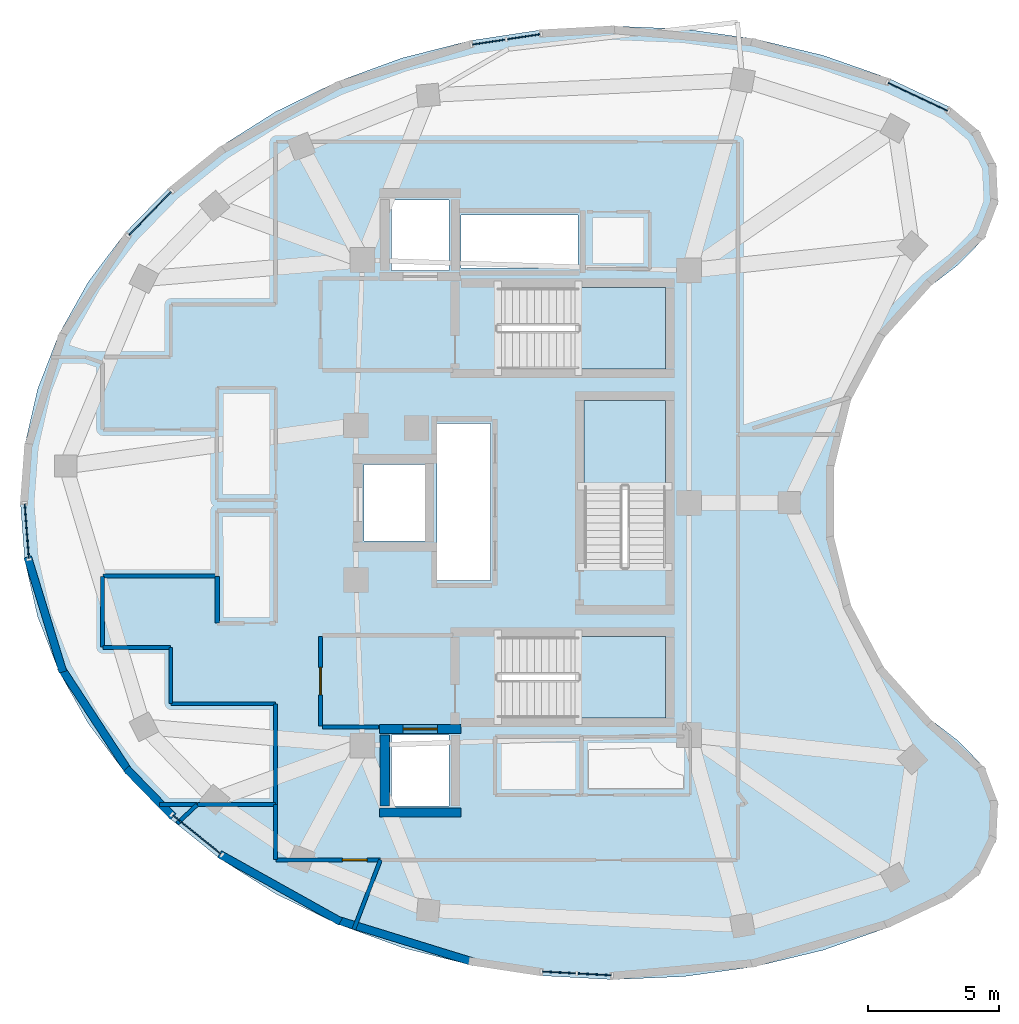
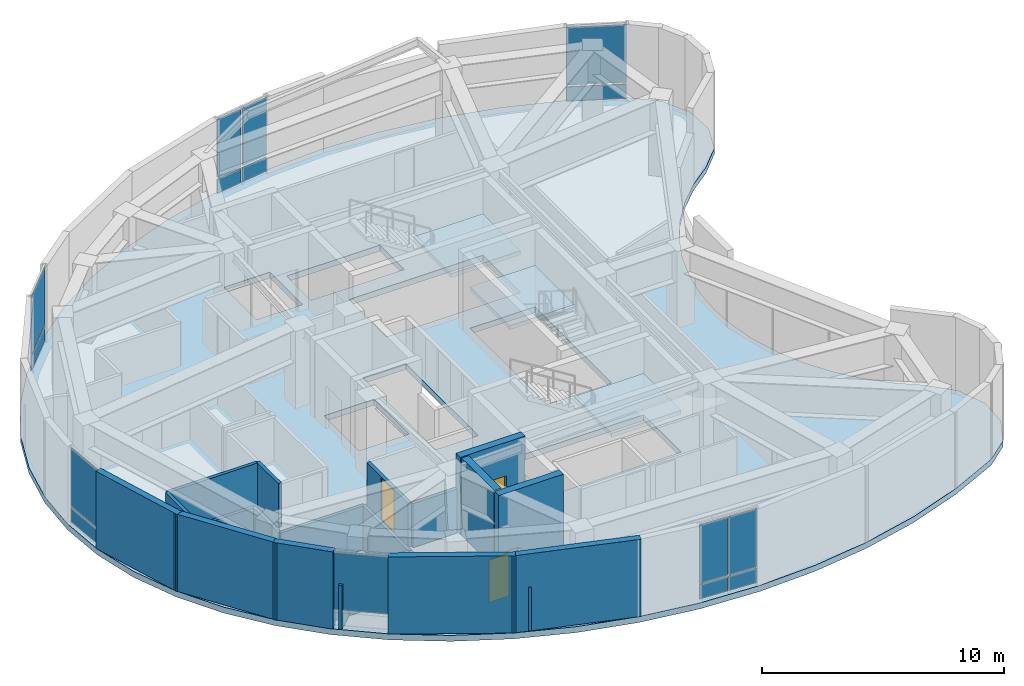
# One storey, part 3 of 8: 23 walls, 15 plates, 4 slabs, 3 doors, 3 openings, 9 elements without a shape of their own.
"""IFC4 building model written with IfcOpenShell, lengths in metres."""

import ifcopenshell
import ifcopenshell.guid

model = None  # the IFC model being written
_history = None  # IfcOwnerHistory: only IFC2X3 demands one
_inside = {}  # id of a spatial element -> (the spatial element, [elements in it])
_under = {}  # id of a project, library or spatial element -> (it, [spatial elements below it])
_declared = {}  # id of a project -> (the project, [libraries it declares])
_typed = {}  # id of a type object -> (the type object, [elements of that type])
_made_of = {}  # id of a material, layer set ... -> (it, [elements and type objects made of it])


def new_model(schema):
    """Start an empty IFC model of exactly this schema.

    Asked for "IFC4X3", IfcOpenShell would pick the latest addendum, in which some entities
    have other attributes; the version numbers below select the first issue.
    IFC2X3 requires an IfcOwnerHistory on every rooted entity: one is made here for all.
    """
    global model, _history
    if schema == "IFC4X3":
        model = ifcopenshell.file(schema_version=(4, 3, 0, 0))
    else:
        model = ifcopenshell.file(schema=schema)
    _inside.clear()
    _under.clear()
    _declared.clear()
    _typed.clear()
    _made_of.clear()
    _history = None
    if model.schema == "IFC2X3":
        org = make("IfcOrganization", Name="unknown")
        user = make(
            "IfcPersonAndOrganization",
            ThePerson=make("IfcPerson", FamilyName="unknown"),
            TheOrganization=org,
        )
        app = make(
            "IfcApplication",
            ApplicationDeveloper=org,
            Version="unknown",
            ApplicationFullName="unknown",
            ApplicationIdentifier="unknown",
        )
        _history = make(
            "IfcOwnerHistory",
            OwningUser=user,
            OwningApplication=app,
            ChangeAction="ADDED",
            CreationDate=0,
        )
    return model


def make(cls, **values):
    """One entity of the class cls with the attributes given. An attribute that is None is left unset."""
    return model.create_entity(
        cls, **{name: value for name, value in values.items() if value is not None}
    )


def rooted(cls, **values):
    """An entity with a GlobalId (a new one), such as an element, a storey or a relation."""
    return make(cls, GlobalId=ifcopenshell.guid.new(), OwnerHistory=_history, **values)


def si_unit(unit_type, name, prefix=None):
    """IfcSIUnit, for example si_unit("LENGTHUNIT", "METRE", prefix="MILLI")."""
    return make("IfcSIUnit", UnitType=unit_type, Prefix=prefix, Name=name)


def assignment(units):
    """IfcUnitAssignment: the units of a project."""
    return None if units is None else make("IfcUnitAssignment", Units=units)


def point(xyz):
    """IfcCartesianPoint."""
    return None if xyz is None else make("IfcCartesianPoint", Coordinates=xyz)


def direction(xyz):
    """IfcDirection."""
    return None if xyz is None else make("IfcDirection", DirectionRatios=xyz)


def frame(location, z_axis=None, x_axis=None):
    """IfcAxis2Placement3D, a coordinate frame: its origin and axes. An axis left out is left unset."""
    return make(
        "IfcAxis2Placement3D",
        Location=point(location),
        Axis=direction(z_axis),
        RefDirection=direction(x_axis),
    )


def frame_2d(location, x_axis=None):
    """IfcAxis2Placement2D, a coordinate frame in the plane: its origin and x axis."""
    return make(
        "IfcAxis2Placement2D", Location=point(location), RefDirection=direction(x_axis)
    )


def origin():
    """The frame at (0, 0, 0) with its axes left unset."""
    return frame((0.0, 0.0, 0.0))


def origin_2d():
    """The frame at (0, 0) in the plane with its x axis left unset."""
    return frame_2d((0.0, 0.0))


def place(relative_to, where):
    """IfcLocalPlacement: puts the frame where relative to a parent placement (None: the world)."""
    return make(
        "IfcLocalPlacement", PlacementRelTo=relative_to, RelativePlacement=where
    )


def context(
    kind, dimensions, precision=None, world=None, true_north=None, identifier=None
):
    """IfcGeometricRepresentationContext, for example the 3D "Model" context."""
    return make(
        "IfcGeometricRepresentationContext",
        ContextIdentifier=identifier,
        ContextType=kind,
        CoordinateSpaceDimension=dimensions,
        Precision=precision,
        WorldCoordinateSystem=world,
        TrueNorth=true_north,
    )


def subcontext(parent, identifier, kind, view, scale=None):
    """IfcGeometricRepresentationSubContext, for example "Body" below "Model"."""
    return make(
        "IfcGeometricRepresentationSubContext",
        ContextIdentifier=identifier,
        ContextType=kind,
        ParentContext=parent,
        TargetScale=scale,
        TargetView=view,
    )


def project(units=None, contexts=None):
    """IfcProject with its units and contexts."""
    return rooted(
        "IfcProject",
        Name="project",
        RepresentationContexts=contexts,
        UnitsInContext=assignment(units),
    )


def spatial(cls, under=None, at=None, **own):
    """A site, building, storey or space (cls), placed at a placement, below another one or the project."""
    s = rooted(cls, ObjectPlacement=at, **own)
    if under is not None:
        _under.setdefault(under.id(), (under, []))[1].append(s)
    return s


def polyline(points):
    """IfcPolyline through the points."""
    return make("IfcPolyline", Points=[point(p) for p in points])


def profile(cls, at=None, kind="AREA", **sizes):
    """A parametric profile (cls). Its sizes go by their IFC names, for example OverallWidth=200.0."""
    return make(cls, ProfileType=kind, Position=at, **sizes)


def rectangle(**sizes):
    """IfcRectangleProfileDef."""
    return profile("IfcRectangleProfileDef", **sizes)


def outline(outer, holes=None, kind="AREA"):
    """IfcArbitraryClosedProfileDef: a profile drawn as a closed curve; with holes, ...WithVoids."""
    if holes is None:
        return make("IfcArbitraryClosedProfileDef", ProfileType=kind, OuterCurve=outer)
    return make(
        "IfcArbitraryProfileDefWithVoids",
        ProfileType=kind,
        OuterCurve=outer,
        InnerCurves=holes,
    )


def extrude(swept, where, along, depth):
    """IfcExtrudedAreaSolid: the profile swept, set in the frame where, extruded along a direction by depth."""
    return make(
        "IfcExtrudedAreaSolid",
        SweptArea=swept,
        Position=where,
        ExtrudedDirection=direction(along),
        Depth=depth,
    )


def shape(context_of_items, identifier, shape_type, items):
    """IfcShapeRepresentation: the items that make up one representation, for example the "Body"."""
    return make(
        "IfcShapeRepresentation",
        ContextOfItems=context_of_items,
        RepresentationIdentifier=identifier,
        RepresentationType=shape_type,
        Items=items,
    )


def material(Name=None, Category=None):
    """IfcMaterial."""
    return make("IfcMaterial", Name=Name, Category=Category)


def layer(
    of_material, thickness, ventilated=None, Name=None, Category=None, Priority=None
):
    """IfcMaterialLayer: one layer of a wall or slab, of a material (None: an air gap)."""
    return make(
        "IfcMaterialLayer",
        Material=of_material,
        LayerThickness=thickness,
        IsVentilated=ventilated,
        Name=Name,
        Category=Category,
        Priority=Priority,
    )


def layer_set(layers, Name=None):
    """IfcMaterialLayerSet."""
    return make("IfcMaterialLayerSet", MaterialLayers=layers, LayerSetName=Name)


def made_of(thing, what):
    """Note that an element or type object is made of a material, layer set ...; save() writes the relation."""
    if what is not None:
        _made_of.setdefault(what.id(), (what, []))[1].append(thing)
    return thing


def type_object(cls, material=None, **own):
    """A type object (cls), such as IfcWallType, which elements share."""
    return made_of(rooted(cls, **own), material)


def element(
    cls,
    number,
    at=None,
    inside=None,
    cuts=None,
    type_object=None,
    material=None,
    context=None,
    identifier="Body",
    shape_type=None,
    held_by="IfcProductDefinitionShape",
    body=None,
    shapes=None,
    **own,
):
    """One element of the class cls, such as IfcWall. Its Tag is "e" and its number.

    at: its placement. inside: the storey or other place that contains it. cuts: it is an
    opening in that element (IfcRelVoidsElement). A single representation is given by context,
    identifier, shape_type and body (its items); several are given by shapes. held_by: the class
    of the entity that holds the representations. save() writes the other relations.
    """
    e = rooted(cls, Tag="e%d" % number, ObjectPlacement=at, **own)
    if body is not None:
        shapes = [shape(context, identifier, shape_type, body)]
    if shapes is not None:
        e.Representation = make(held_by, Representations=shapes)
    if inside is not None:
        _inside.setdefault(inside.id(), (inside, []))[1].append(e)
    if cuts is not None:
        rooted(
            "IfcRelVoidsElement", RelatingBuildingElement=cuts, RelatedOpeningElement=e
        )
    if type_object is not None:
        _typed.setdefault(type_object.id(), (type_object, []))[1].append(e)
    return made_of(e, material)


def fill(opening, filler):
    """IfcRelFillsElement: the door or window that sits in an opening."""
    return rooted(
        "IfcRelFillsElement",
        RelatingOpeningElement=opening,
        RelatedBuildingElement=filler,
    )


def aggregate(whole, parts):
    """IfcRelAggregates: a whole, such as a stair, and the parts it consists of."""
    return rooted("IfcRelAggregates", RelatingObject=whole, RelatedObjects=parts)


def save(model, path):
    """Write the relations noted so far, then the file.

    IfcRelAggregates (storeys below a building ...), IfcRelContainedInSpatialStructure (elements
    in a storey), IfcRelDefinesByType, IfcRelAssociatesMaterial and IfcRelDeclares: one each for
    every whole, place, type object, material and project.
    """
    for whole, parts in _under.values():
        aggregate(whole, parts)
    for where, things in _inside.values():
        rooted(
            "IfcRelContainedInSpatialStructure",
            RelatedElements=things,
            RelatingStructure=where,
        )
    for kind, things in _typed.values():
        rooted("IfcRelDefinesByType", RelatedObjects=things, RelatingType=kind)
    for what, things in _made_of.values():
        rooted("IfcRelAssociatesMaterial", RelatedObjects=things, RelatingMaterial=what)
    for by, libraries in _declared.values():
        rooted("IfcRelDeclares", RelatingContext=by, RelatedDefinitions=libraries)
    model.write(path)


model = new_model("IFC4")

# Units and contexts
model_context = context("Model", 3, precision=1e-05, world=origin(), true_north=direction((0.0, 1.0)))
body_context = subcontext(model_context, "Body", "Model", "MODEL_VIEW")
ifc_project = project(units=[si_unit("LENGTHUNIT", "METRE"), si_unit("AREAUNIT", "SQUARE_METRE"), si_unit("VOLUMEUNIT", "CUBIC_METRE"), si_unit("PLANEANGLEUNIT", "RADIAN"), si_unit("MASSUNIT", "GRAM", prefix="KILO")], contexts=[model_context])

# Site, building, storey
site_placement = place(None, origin())
site = spatial("IfcSite", under=ifc_project, at=site_placement, CompositionType="ELEMENT")
building_placement = place(site_placement, origin())
building = spatial("IfcBuilding", under=site, at=building_placement, Name="Korentha Bioscience Tower", CompositionType="ELEMENT")
storey_placement = place(building_placement, frame((0.0, 0.0, 301.800048828125)))
storey = spatial("IfcBuildingStorey", under=building, at=storey_placement, Name="L69", CompositionType="ELEMENT", Elevation=301.800048828125)

# Curtain wall, plates
ifc_material_1 = material(Name="Thermally Broken Aluminium Frame", Category="aluminium")
ifc_layer_1 = layer(ifc_material_1, 0.219970703125, Name="Thermally Broken Aluminium Frame")
ifc_layer_set_1 = layer_set([ifc_layer_1], Name="Thermally Broken Aluminium Frame (CW-T1)")
curtain_wall_type = type_object("IfcCurtainWallType", Name="Standard Bioscience Lab Unitised Curtain Wall CW-T1", PredefinedType="USERDEFINED", material=ifc_layer_set_1)
curtain_wall_1_placement = place(storey_placement, origin())
curtain_wall_1 = element("IfcCurtainWall", 1, at=curtain_wall_1_placement, inside=storey, type_object=curtain_wall_type, Name="L69 Curtain Wall 01", ObjectType="UNITISED", PredefinedType="USERDEFINED")
ifc_material_2 = material(Name="Triple-Glazed Low-E Insulated Glass", Category="glass")
ifc_layer_2 = layer(ifc_material_2, 0.0439453125, Name="Triple-Glazed Low-E Insulated Glass")
ifc_layer_set_2 = layer_set([ifc_layer_2], Name="Triple-Glazed Low-E Insulated Glass (GL-44)")
plate_type = type_object("IfcPlateType", Name="Glazed Panel 44mm", PredefinedType="CURTAIN_PANEL", material=ifc_layer_set_2)
plate_1_placement = place(storey_placement, frame((46.267578125, 42.4755859375, 0.08984375), z_axis=(0.0, 0.0, 1.0), x_axis=(-0.904397382054, 0.426691194347, 0.0)))
plate_1 = element("IfcPlate", 2, at=plate_1_placement, type_object=plate_type, Name="CW-L69-01 Bay 1 Glazed Panel 1", PredefinedType="CURTAIN_PANEL", context=body_context, shape_type="SweptSolid", body=[
    extrude(rectangle(XDim=2.501708984375, YDim=0.0439453125, at=origin_2d()), origin(), (0.0, 0.0, 1.0), 0.715087890625),
])
plate_2_placement = place(storey_placement, frame((46.267578125, 42.4755859375, 0.89501953125), z_axis=(0.0, 0.0, 1.0), x_axis=(-0.904397382054, 0.426691194347, 0.0)))
plate_2 = element("IfcPlate", 3, at=plate_2_placement, type_object=plate_type, Name="CW-L69-01 Bay 1 Glazed Panel 2", PredefinedType="CURTAIN_PANEL", context=body_context, shape_type="SweptSolid", body=[
    extrude(rectangle(XDim=2.501708984375, YDim=0.0439453125, at=origin_2d()), origin(), (0.0, 0.0, 1.0), 2.9150390625),
])
aggregate(curtain_wall_1, [plate_1, plate_2])

curtain_wall_2_placement = place(storey_placement, origin())
curtain_wall_2 = element("IfcCurtainWall", 4, at=curtain_wall_2_placement, inside=storey, type_object=curtain_wall_type, Name="L69 Curtain Wall 07", ObjectType="UNITISED", PredefinedType="USERDEFINED")
plate_3_placement = place(storey_placement, frame((31.246337890625, 44.7626953125, 0.08984375), z_axis=(0.0, 0.0, 1.0), x_axis=(-0.988621035391, -0.150427551942, 0.0)))
plate_3 = element("IfcPlate", 5, at=plate_3_placement, type_object=plate_type, Name="CW-L69-07 Bay 1 Glazed Panel 1", PredefinedType="CURTAIN_PANEL", context=body_context, shape_type="SweptSolid", body=[
    extrude(rectangle(XDim=1.262451171875, YDim=0.0439453125, at=origin_2d()), origin(), (0.0, 0.0, 1.0), 0.715087890625),
])
plate_4_placement = place(storey_placement, frame((31.246337890625, 44.7626953125, 0.89501953125), z_axis=(0.0, 0.0, 1.0), x_axis=(-0.988621035391, -0.150427551942, 0.0)))
plate_4 = element("IfcPlate", 6, at=plate_4_placement, type_object=plate_type, Name="CW-L69-07 Bay 1 Glazed Panel 2", PredefinedType="CURTAIN_PANEL", context=body_context, shape_type="SweptSolid", body=[
    extrude(rectangle(XDim=1.262451171875, YDim=0.0439453125, at=origin_2d()), origin(), (0.0, 0.0, 1.0), 2.9150390625),
])
plate_5_placement = place(storey_placement, frame((29.909423828125, 44.559326171875, 0.08984375), z_axis=(0.0, 0.0, 1.0), x_axis=(-0.988621035391, -0.150427551942, 0.0)))
plate_5 = element("IfcPlate", 7, at=plate_5_placement, type_object=plate_type, Name="CW-L69-07 Bay 2 Glazed Panel 1", PredefinedType="CURTAIN_PANEL", context=body_context, shape_type="SweptSolid", body=[
    extrude(rectangle(XDim=1.262451171875, YDim=0.0439453125, at=origin_2d()), origin(), (0.0, 0.0, 1.0), 0.715087890625),
])
plate_6_placement = place(storey_placement, frame((29.909423828125, 44.559326171875, 0.89501953125), z_axis=(0.0, 0.0, 1.0), x_axis=(-0.988621035391, -0.150427551942, 0.0)))
plate_6 = element("IfcPlate", 8, at=plate_6_placement, type_object=plate_type, Name="CW-L69-07 Bay 2 Glazed Panel 2", PredefinedType="CURTAIN_PANEL", context=body_context, shape_type="SweptSolid", body=[
    extrude(rectangle(XDim=1.262451171875, YDim=0.0439453125, at=origin_2d()), origin(), (0.0, 0.0, 1.0), 2.9150390625),
])
aggregate(curtain_wall_2, [plate_3, plate_4, plate_5, plate_6])

curtain_wall_3_placement = place(storey_placement, origin())
curtain_wall_3 = element("IfcCurtainWall", 9, at=curtain_wall_3_placement, inside=storey, type_object=curtain_wall_type, Name="L69 Curtain Wall 13", ObjectType="UNITISED", PredefinedType="USERDEFINED")
plate_7_placement = place(storey_placement, frame((17.0009765625, 38.0283203125, 0.08984375), z_axis=(0.0, 0.0, 1.0), x_axis=(-0.697567217128, -0.716519349067, 0.0)))
plate_7 = element("IfcPlate", 10, at=plate_7_placement, type_object=plate_type, Name="CW-L69-13 Bay 1 Glazed Panel 1", PredefinedType="CURTAIN_PANEL", context=body_context, shape_type="SweptSolid", body=[
    extrude(rectangle(XDim=2.30517578125, YDim=0.0439453125, at=origin_2d()), origin(), (0.0, 0.0, 1.0), 0.715087890625),
])
plate_8_placement = place(storey_placement, frame((17.0009765625, 38.0283203125, 0.89501953125), z_axis=(0.0, 0.0, 1.0), x_axis=(-0.697567217128, -0.716519349067, 0.0)))
plate_8 = element("IfcPlate", 11, at=plate_8_placement, type_object=plate_type, Name="CW-L69-13 Bay 1 Glazed Panel 2", PredefinedType="CURTAIN_PANEL", context=body_context, shape_type="SweptSolid", body=[
    extrude(rectangle(XDim=2.30517578125, YDim=0.0439453125, at=origin_2d()), origin(), (0.0, 0.0, 1.0), 2.9150390625),
])
aggregate(curtain_wall_3, [plate_7, plate_8])

curtain_wall_4_placement = place(storey_placement, origin())
curtain_wall_4 = element("IfcCurtainWall", 12, at=curtain_wall_4_placement, inside=storey, type_object=curtain_wall_type, Name="L69 Curtain Wall 19", ObjectType="UNITISED", PredefinedType="USERDEFINED")
plate_9_placement = place(storey_placement, frame((12.302490234375, 25.922119140625, 0.08984375), z_axis=(0.0, 0.0, 1.0), x_axis=(0.075073021346, -0.997178039001, 0.0)))
plate_9 = element("IfcPlate", 13, at=plate_9_placement, type_object=plate_type, Name="CW-L69-19 Bay 1 Glazed Panel 1", PredefinedType="CURTAIN_PANEL", context=body_context, shape_type="SweptSolid", body=[
    extrude(rectangle(XDim=2.085693359375, YDim=0.0439453125, at=origin_2d()), origin(), (0.0, 0.0, 1.0), 0.715087890625),
])
plate_10_placement = place(storey_placement, frame((12.302490234375, 25.922119140625, 0.89501953125), z_axis=(0.0, 0.0, 1.0), x_axis=(0.075073021346, -0.997178039001, 0.0)))
plate_10 = element("IfcPlate", 14, at=plate_10_placement, type_object=plate_type, Name="CW-L69-19 Bay 1 Glazed Panel 2", PredefinedType="CURTAIN_PANEL", context=body_context, shape_type="SweptSolid", body=[
    extrude(rectangle(XDim=2.085693359375, YDim=0.0439453125, at=origin_2d()), origin(), (0.0, 0.0, 1.0), 2.9150390625),
])
aggregate(curtain_wall_4, [plate_9, plate_10])

# Curtain wall, plate
curtain_wall_5_placement = place(storey_placement, origin())
curtain_wall_5 = element("IfcCurtainWall", 15, at=curtain_wall_5_placement, inside=storey, type_object=curtain_wall_type, Name="L69 Curtain Wall 25", ObjectType="UNITISED", PredefinedType="USERDEFINED")
plate_11_placement = place(storey_placement, frame((18.787841796875, 14.34814453125, 0.89501953125), z_axis=(0.0, 0.0, 1.0), x_axis=(0.778807101094, -0.62726350068, 0.0)))
plate_11 = element("IfcPlate", 16, at=plate_11_placement, type_object=plate_type, Name="CW-L69-25 Bay 1 Glazed Panel 2", PredefinedType="CURTAIN_PANEL", context=body_context, shape_type="SweptSolid", body=[
    extrude(rectangle(XDim=2.37109375, YDim=0.0439453125, at=origin_2d()), origin(), (0.0, 0.0, 1.0), 2.9150390625),
])
aggregate(curtain_wall_5, [plate_11])

# Curtain wall, plates
curtain_wall_6_placement = place(storey_placement, origin())
curtain_wall_6 = element("IfcCurtainWall", 17, at=curtain_wall_6_placement, inside=storey, type_object=curtain_wall_type, Name="L69 Curtain Wall 31", ObjectType="UNITISED", PredefinedType="USERDEFINED")
plate_12_placement = place(storey_placement, frame((32.58837890625, 9.099365234375, 0.08984375), z_axis=(0.0, 0.0, 1.0), x_axis=(0.998526001182, -0.054275454513, 0.0)))
plate_12 = element("IfcPlate", 18, at=plate_12_placement, type_object=plate_type, Name="CW-L69-31 Bay 1 Glazed Panel 1", PredefinedType="CURTAIN_PANEL", context=body_context, shape_type="SweptSolid", body=[
    extrude(rectangle(XDim=1.27001953125, YDim=0.0439453125, at=origin_2d()), origin(), (0.0, 0.0, 1.0), 0.715087890625),
])
plate_13_placement = place(storey_placement, frame((32.58837890625, 9.099365234375, 0.89501953125), z_axis=(0.0, 0.0, 1.0), x_axis=(0.998526001182, -0.054275454513, 0.0)))
plate_13 = element("IfcPlate", 19, at=plate_13_placement, type_object=plate_type, Name="CW-L69-31 Bay 1 Glazed Panel 2", PredefinedType="CURTAIN_PANEL", context=body_context, shape_type="SweptSolid", body=[
    extrude(rectangle(XDim=1.27001953125, YDim=0.0439453125, at=origin_2d()), origin(), (0.0, 0.0, 1.0), 2.9150390625),
])
plate_14_placement = place(storey_placement, frame((33.9462890625, 9.025390625, 0.08984375), z_axis=(0.0, 0.0, 1.0), x_axis=(0.998526001182, -0.054275454513, 0.0)))
plate_14 = element("IfcPlate", 20, at=plate_14_placement, type_object=plate_type, Name="CW-L69-31 Bay 2 Glazed Panel 1", PredefinedType="CURTAIN_PANEL", context=body_context, shape_type="SweptSolid", body=[
    extrude(rectangle(XDim=1.27001953125, YDim=0.0439453125, at=origin_2d()), origin(), (0.0, 0.0, 1.0), 0.715087890625),
])
plate_15_placement = place(storey_placement, frame((33.9462890625, 9.025390625, 0.89501953125), z_axis=(0.0, 0.0, 1.0), x_axis=(0.998526001182, -0.054275454513, 0.0)))
plate_15 = element("IfcPlate", 21, at=plate_15_placement, type_object=plate_type, Name="CW-L69-31 Bay 2 Glazed Panel 2", PredefinedType="CURTAIN_PANEL", context=body_context, shape_type="SweptSolid", body=[
    extrude(rectangle(XDim=1.27001953125, YDim=0.0439453125, at=origin_2d()), origin(), (0.0, 0.0, 1.0), 2.9150390625),
])
aggregate(curtain_wall_6, [plate_12, plate_13, plate_14, plate_15])

# Slab
ifc_material_3 = material(Name="Concrete C50", Category="concrete")
ifc_layer_3 = layer(ifc_material_3, 0.300048828125, Name="Concrete C50")
ifc_layer_set_3 = layer_set([ifc_layer_3], Name="Concrete C50 (SL-L300)")
slab_type_1 = type_object("IfcSlabType", Name="Laboratory Vibration-Controlled Slab 300", PredefinedType="FLOOR", material=ifc_layer_set_3)
slab_1_placement = place(storey_placement, frame((0.0, 0.0, -0.300048828125)))
element("IfcSlab", 22, at=slab_1_placement, inside=storey, type_object=slab_type_1, Name="L69 Tower Structural Floor Slab", PredefinedType="FLOOR", context=body_context, shape_type="SweptSolid", body=[
    extrude(outline(polyline([(47.512451171875, 42.065185546875), (45.15966796875, 43.17529296875), (42.6572265625, 44.052001953125), (40.04150390625, 44.68212890625), (37.35009765625, 45.05712890625), (34.62158203125, 45.17138671875), (31.895751953125, 45.0234375), (29.2119140625, 44.614990234375), (26.608642578125, 43.952392578125), (24.12353515625, 43.044921875), (21.792724609375, 41.90576171875), (19.649658203125, 40.551513671875), (17.72509765625, 39.00146484375), (16.04736328125, 37.2783203125), (14.64013671875, 35.406494140625), (13.524169921875, 33.41357421875), (12.715087890625, 31.327880859375), (12.22509765625, 29.1796875), (12.06103515625, 27.0), (12.22509765625, 24.8203125), (12.715087890625, 22.672119140625), (13.524169921875, 20.58642578125), (14.64013671875, 18.593505859375), (16.04736328125, 16.7216796875), (17.72509765625, 14.99853515625), (19.649658203125, 13.448486328125), (21.792724609375, 12.09423828125), (24.12353515625, 10.955078125), (26.608642578125, 10.047607421875), (29.2119140625, 9.385009765625), (31.895751953125, 8.9765625), (34.62158203125, 8.82861328125), (37.35009765625, 8.94287109375), (40.04150390625, 9.31787109375), (42.6572265625, 9.947998046875), (45.15966796875, 10.82470703125), (47.512451171875, 11.934814453125), (48.60546875, 12.85498046875), (49.240234375, 14.135498046875), (49.310791015625, 15.5625), (48.805908203125, 16.8994140625), (47.80908203125, 17.923095703125), (46.74853515625, 18.737060546875), (45.794921875, 19.673828125), (44.962890625, 20.72021484375), (44.264404296875, 21.85986328125), (43.7099609375, 23.076416015625), (43.30810546875, 24.351318359375), (43.064453125, 25.665771484375), (42.98291015625, 27.0), (43.064453125, 28.334228515625), (43.30810546875, 29.648681640625), (43.7099609375, 30.923583984375), (44.264404296875, 32.14013671875), (44.962890625, 33.27978515625), (45.794921875, 34.326171875), (46.74853515625, 35.262939453125), (47.80908203125, 36.076904296875), (48.805908203125, 37.1005859375), (49.310791015625, 38.4375), (49.240234375, 39.864501953125), (48.60546875, 41.14501953125), (47.512451171875, 42.065185546875)]), holes=[polyline([(30.25, 32.10009765625), (36.64990234375, 32.10009765625), (36.64990234375, 35.199951171875), (30.25, 35.199951171875), (30.25, 32.10009765625)]), polyline([(30.25, 18.800048828125), (36.64990234375, 18.800048828125), (36.64990234375, 21.89990234375), (30.25, 21.89990234375), (30.25, 18.800048828125)]), polyline([(36.64990234375, 24.550048828125), (36.64990234375, 30.89990234375), (33.550048828125, 30.89990234375), (33.550048828125, 24.550048828125), (36.64990234375, 24.550048828125)]), polyline([(27.929931640625, 24.030029296875), (29.969970703125, 24.030029296875), (29.969970703125, 30.02001953125), (27.929931640625, 30.02001953125), (27.929931640625, 24.030029296875)]), polyline([(28.860107421875, 35.93994140625), (33.31005859375, 35.93994140625), (33.31005859375, 37.9599609375), (28.860107421875, 37.9599609375), (28.860107421875, 35.93994140625)]), polyline([(26.199951171875, 15.449951171875), (28.39990234375, 15.449951171875), (28.39990234375, 18.14990234375), (26.199951171875, 18.14990234375), (26.199951171875, 15.449951171875)]), polyline([(26.199951171875, 35.85009765625), (28.39990234375, 35.85009765625), (28.39990234375, 38.550048828125), (26.199951171875, 38.550048828125), (26.199951171875, 35.85009765625)]), polyline([(25.14990234375, 25.550048828125), (27.550048828125, 25.550048828125), (27.550048828125, 28.449951171875), (25.14990234375, 28.449951171875), (25.14990234375, 25.550048828125)])]), origin(), (0.0, 0.0, 1.0), 0.300048828125),
])

# Stair, slab
ifc_material_4 = material(Name="Precast Concrete C50", Category="concrete")
stair_type = type_object("IfcStairType", Name="Core Exit Dog-Leg Stair 1450", PredefinedType="HALF_TURN_STAIR", material=ifc_material_4)
stair_1_placement = place(storey_placement, origin())
stair_1 = element("IfcStair", 23, at=stair_1_placement, inside=storey, type_object=stair_type, Name="L69 Tower North Pressurized Exit Stair ST-1", PredefinedType="HALF_TURN_STAIR")
ifc_layer_4 = layer(ifc_material_3, 0.199951171875, Name="Concrete C50")
ifc_layer_set_4 = layer_set([ifc_layer_4], Name="Concrete C50 (SL-LND)")
slab_type_2 = type_object("IfcSlabType", Name="Landing Slab 200", PredefinedType="LANDING", material=ifc_layer_set_4)
slab_2_placement = place(storey_placement, frame((0.0, 0.0, 1.89990234375)))
slab_2 = element("IfcSlab", 24, at=slab_2_placement, type_object=slab_type_2, Name="ST-1 landing 1", PredefinedType="LANDING", context=body_context, shape_type="SweptSolid", body=[
    extrude(outline(polyline([(33.330078125, 32.10009765625), (36.64990234375, 32.10009765625), (36.64990234375, 35.199951171875), (33.330078125, 35.199951171875), (33.330078125, 32.10009765625)])), origin(), (0.0, 0.0, 1.0), 0.199951171875),
])
aggregate(stair_1, [slab_2])

stair_2_placement = place(storey_placement, origin())
stair_2 = element("IfcStair", 25, at=stair_2_placement, inside=storey, type_object=stair_type, Name="L69 Tower South Pressurized Exit Stair ST-2", PredefinedType="HALF_TURN_STAIR")
slab_3_placement = place(storey_placement, frame((0.0, 0.0, 1.89990234375)))
slab_3 = element("IfcSlab", 26, at=slab_3_placement, type_object=slab_type_2, Name="ST-2 landing 1", PredefinedType="LANDING", context=body_context, shape_type="SweptSolid", body=[
    extrude(outline(polyline([(33.330078125, 18.800048828125), (36.64990234375, 18.800048828125), (36.64990234375, 21.89990234375), (33.330078125, 21.89990234375), (33.330078125, 18.800048828125)])), origin(), (0.0, 0.0, 1.0), 0.199951171875),
])
aggregate(stair_2, [slab_3])

stair_3_placement = place(storey_placement, origin())
stair_3 = element("IfcStair", 27, at=stair_3_placement, inside=storey, type_object=stair_type, Name="L69 Tower Central Pressurized Exit Stair ST-3", PredefinedType="HALF_TURN_STAIR")
slab_4_placement = place(storey_placement, frame((0.0, 0.0, 1.89990234375)))
slab_4 = element("IfcSlab", 28, at=slab_4_placement, type_object=slab_type_2, Name="ST-3 landing 1", PredefinedType="LANDING", context=body_context, shape_type="SweptSolid", body=[
    extrude(outline(polyline([(36.64990234375, 27.6298828125), (36.64990234375, 30.89990234375), (33.550048828125, 30.89990234375), (33.550048828125, 27.6298828125), (36.64990234375, 27.6298828125)])), origin(), (0.0, 0.0, 1.0), 0.199951171875),
])
aggregate(stair_3, [slab_4])

# Wall, opening, door
ifc_material_5 = material(Name="Double-Stud Acoustic Gypsum", Category="gypsum")
ifc_layer_5 = layer(ifc_material_5, 0.14990234375, Name="Double-Stud Acoustic Gypsum")
ifc_layer_set_5 = layer_set([ifc_layer_5], Name="Double-Stud Acoustic Gypsum (IW-L150)")
wall_type_1 = type_object("IfcWallType", Name="Acoustic Laboratory Partition Wall 150", PredefinedType="PARTITIONING", material=ifc_layer_set_5)
wall_1_placement = place(storey_placement, frame((21.800048828125, 13.389892578125, 0.0), z_axis=(0.0, 0.0, 1.0), x_axis=(1.0, 0.0, 0.0)))
wall_1 = element("IfcWall", 29, at=wall_1_placement, inside=storey, type_object=wall_type_1, Name="L69 Principal Investigator Office 02 Entrance Wall", PredefinedType="PARTITIONING", context=body_context, shape_type="SweptSolid", body=[
    extrude(rectangle(XDim=3.984375, YDim=0.14990234375, at=frame_2d((1.9921875, 0.0))), origin(), (0.0, 0.0, 1.0), 2.219970703125),
])
opening_1_placement = place(wall_1_placement, frame((2.529541015625, 0.0, 0.0)))
opening_1 = element("IfcOpeningElement", 30, at=opening_1_placement, cuts=wall_1, Name="Opening ID-10L", PredefinedType="OPENING", context=body_context, shape_type="SweptSolid", body=[
    extrude(rectangle(XDim=0.949951171875, YDim=2.14990234375, at=frame_2d((0.47509765625, 1.074951171875))), frame((0.0, 0.08984375, 0.0), z_axis=(0.0, -1.0, 0.0), x_axis=(1.0, 0.0, 0.0)), (0.0, 0.0, 1.0), 0.1796875),
])
ifc_material_6 = material(Name="Phenolic Laminate Timber Core", Category="wood")
door_type_1 = type_object("IfcDoorType", Name="Laboratory Single Leaf Door 950x2150 Left", OperationType="SINGLE_SWING_LEFT", PredefinedType="DOOR", material=ifc_material_6)
door_1_placement = place(opening_1_placement, origin())
door_1 = element("IfcDoor", 31, at=door_1_placement, inside=storey, type_object=door_type_1, Name="L69 Principal Investigator Office 02 Door", OperationType="SINGLE_SWING_LEFT", OverallHeight=2.14990234375, OverallWidth=0.949951171875, PredefinedType="DOOR", context=body_context, shape_type="SweptSolid", body=[
    extrude(rectangle(XDim=0.949951171875, YDim=2.14990234375, at=frame_2d((0.47509765625, 1.074951171875))), frame((0.0, 0.02490234375, 0.0), z_axis=(0.0, -1.0, 0.0), x_axis=(1.0, 0.0, 0.0)), (0.0, 0.0, 1.0), 0.050048828125),
])
fill(opening_1, door_1)

# Walls
wall_2_placement = place(storey_placement, frame((19.5400390625, 24.2099609375, 0.0), z_axis=(0.0, 0.0, 1.0), x_axis=(-1.0, 0.0, 0.0)))
element("IfcWall", 32, at=wall_2_placement, inside=storey, type_object=wall_type_1, Name="L69 Interior Partition 027", PredefinedType="PARTITIONING", context=body_context, shape_type="SweptSolid", body=[
    extrude(rectangle(XDim=4.340087890625, YDim=0.14990234375, at=frame_2d((2.169921875, 0.0))), origin(), (0.0, 0.0, 1.0), 2.219970703125),
])
wall_3_placement = place(storey_placement, frame((15.18994140625, 24.199951171875, 0.0), z_axis=(0.0, 0.0, 1.0), x_axis=(0.0, -1.0, 0.0)))
element("IfcWall", 33, at=wall_3_placement, inside=storey, type_object=wall_type_1, Name="L69 Interior Partition 028", PredefinedType="PARTITIONING", context=body_context, shape_type="SweptSolid", body=[
    extrude(rectangle(XDim=2.699951171875, YDim=0.14990234375, at=frame_2d((1.35009765625, 0.0))), origin(), (0.0, 0.0, 1.0), 2.219970703125),
])
wall_4_placement = place(storey_placement, frame((15.199951171875, 21.489990234375, 0.0), z_axis=(0.0, 0.0, 1.0), x_axis=(1.0, 0.0, 0.0)))
element("IfcWall", 34, at=wall_4_placement, inside=storey, type_object=wall_type_1, Name="L69 Interior Partition 029", PredefinedType="PARTITIONING", context=body_context, shape_type="SweptSolid", body=[
    extrude(rectangle(XDim=2.590087890625, YDim=0.14990234375, at=frame_2d((1.294921875, 0.0))), origin(), (0.0, 0.0, 1.0), 2.219970703125),
])
wall_5_placement = place(storey_placement, frame((17.7900390625, 21.489990234375, 0.0), z_axis=(0.0, 0.0, 1.0), x_axis=(0.0, -1.0, 0.0)))
element("IfcWall", 35, at=wall_5_placement, inside=storey, type_object=wall_type_1, Name="L69 Interior Partition 030", PredefinedType="PARTITIONING", context=body_context, shape_type="SweptSolid", body=[
    extrude(rectangle(XDim=2.139892578125, YDim=0.14990234375, at=frame_2d((1.06982421875, 0.0))), origin(), (0.0, 0.0, 1.0), 2.219970703125),
])
wall_6_placement = place(storey_placement, frame((17.800048828125, 19.340087890625, 0.0), z_axis=(0.0, 0.0, 1.0), x_axis=(1.0, 0.0, 0.0)))
element("IfcWall", 36, at=wall_6_placement, inside=storey, type_object=wall_type_1, Name="L69 Interior Partition 031", PredefinedType="PARTITIONING", context=body_context, shape_type="SweptSolid", body=[
    extrude(rectangle(XDim=3.989990234375, YDim=0.14990234375, at=frame_2d((1.9951171875, 0.0))), origin(), (0.0, 0.0, 1.0), 2.219970703125),
])
wall_7_placement = place(storey_placement, frame((21.7900390625, 19.340087890625, 0.0), z_axis=(0.0, 0.0, 1.0), x_axis=(0.0, -1.0, 0.0)))
element("IfcWall", 37, at=wall_7_placement, inside=storey, type_object=wall_type_1, Name="L69 Interior Partition 032", PredefinedType="PARTITIONING", context=body_context, shape_type="SweptSolid", body=[
    extrude(rectangle(XDim=3.838134765625, YDim=0.14990234375, at=frame_2d((1.9189453125, 0.0))), origin(), (0.0, 0.0, 1.0), 2.219970703125),
])
wall_8_placement = place(storey_placement, frame((21.7900390625, 15.501953125, 0.0), z_axis=(0.0, 0.0, 1.0), x_axis=(-1.0, 0.0, 0.0)))
element("IfcWall", 38, at=wall_8_placement, inside=storey, type_object=wall_type_1, Name="L69 Interior Partition 033", PredefinedType="PARTITIONING", context=body_context, shape_type="SweptSolid", body=[
    extrude(rectangle(XDim=2.983642578125, YDim=0.14990234375, at=frame_2d((1.49169921875, 0.0))), origin(), (0.0, 0.0, 1.0), 2.219970703125),
])
wall_9_placement = place(storey_placement, frame((18.80029296875, 15.501953125, 0.0), z_axis=(0.0, 0.0, 1.0), x_axis=(-1.0, 0.0, 0.0)))
element("IfcWall", 39, at=wall_9_placement, inside=storey, type_object=wall_type_1, Name="L69 Interior Partition 034", PredefinedType="PARTITIONING", context=body_context, shape_type="SweptSolid", body=[
    extrude(rectangle(XDim=1.430419921875, YDim=0.14990234375, at=frame_2d((0.71533203125, 0.0))), origin(), (0.0, 0.0, 1.0), 2.219970703125),
])
wall_10_placement = place(storey_placement, frame((18.036376953125, 14.77685546875, 0.0), z_axis=(0.0, 0.0, 1.0), x_axis=(0.727973179275, 0.685605608391, 0.0)))
element("IfcWall", 40, at=wall_10_placement, inside=storey, type_object=wall_type_1, Name="L69 Interior Partition 035", PredefinedType="PARTITIONING", context=body_context, shape_type="SweptSolid", body=[
    extrude(rectangle(XDim=1.04296875, YDim=0.14990234375, at=frame_2d((0.521484375, 0.0))), origin(), (0.0, 0.0, 1.0), 2.219970703125),
])
wall_11_placement = place(storey_placement, frame((21.7900390625, 15.491943359375, 0.0), z_axis=(0.0, 0.0, 1.0), x_axis=(0.0, -1.0, 0.0)))
element("IfcWall", 41, at=wall_11_placement, inside=storey, type_object=wall_type_1, Name="L69 Interior Partition 036", PredefinedType="PARTITIONING", context=body_context, shape_type="SweptSolid", body=[
    extrude(rectangle(XDim=2.092041015625, YDim=0.14990234375, at=frame_2d((1.0458984375, 0.0))), origin(), (0.0, 0.0, 1.0), 2.219970703125),
])
wall_12_placement = place(storey_placement, frame((25.784423828125, 13.389892578125, 0.0), z_axis=(0.0, 0.0, 1.0), x_axis=(-0.358402380443, -0.933567208985, 0.0)))
element("IfcWall", 42, at=wall_12_placement, inside=storey, type_object=wall_type_1, Name="L69 Interior Partition 037", PredefinedType="PARTITIONING", context=body_context, shape_type="SweptSolid", body=[
    extrude(rectangle(XDim=2.837158203125, YDim=0.14990234375, at=frame_2d((1.41845703125, 0.0))), origin(), (0.0, 0.0, 1.0), 2.219970703125),
])

# Wall, opening, door
ifc_material_7 = material(Name="Gypsum-Clad Steel Stud", Category="steel")
ifc_layer_6 = layer(ifc_material_7, 0.159912109375, Name="Gypsum-Clad Steel Stud")
ifc_layer_set_6 = layer_set([ifc_layer_6], Name="Gypsum-Clad Steel Stud (IW-C160)")
wall_type_2 = type_object("IfcWallType", Name="Fire-Rated Corridor Partition Wall 160", PredefinedType="PARTITIONING", material=ifc_layer_set_6)
wall_13_placement = place(storey_placement, frame((23.5, 18.5, 0.0), z_axis=(0.0, 0.0, 1.0), x_axis=(0.0, 1.0, 0.0)))
wall_13 = element("IfcWall", 43, at=wall_13_placement, inside=storey, type_object=wall_type_2, Name="L69 FFLS-CW Rated Enclosure Wall", PredefinedType="PARTITIONING", context=body_context, shape_type="SweptSolid", body=[
    extrude(rectangle(XDim=3.39990234375, YDim=0.159912109375, at=frame_2d((1.699951171875, 0.0))), origin(), (0.0, 0.0, 1.0), 2.219970703125),
])
opening_2_placement = place(wall_13_placement, frame((1.175048828125, 0.0, 0.0)))
opening_2 = element("IfcOpeningElement", 44, at=opening_2_placement, cuts=wall_13, Name="Opening FD-90R", PredefinedType="OPENING", context=body_context, shape_type="SweptSolid", body=[
    extrude(rectangle(XDim=1.050048828125, YDim=2.14990234375, at=frame_2d((0.52490234375, 1.074951171875))), frame((0.0, 0.0947265625, 0.0), z_axis=(0.0, -1.0, 0.0), x_axis=(1.0, 0.0, 0.0)), (0.0, 0.0, 1.0), 0.189697265625),
])
ifc_material_8 = material(Name="Powder-Coated Fire-Rated Steel", Category="steel")
door_type_2 = type_object("IfcDoorType", Name="Stairwell Fire Exit Door 1050x2150 Right", OperationType="SINGLE_SWING_RIGHT", PredefinedType="DOOR", material=ifc_material_8)
door_2_placement = place(opening_2_placement, origin())
door_2 = element("IfcDoor", 45, at=door_2_placement, inside=storey, type_object=door_type_2, Name="L69 South Firefighting Lobby Door", OperationType="SINGLE_SWING_RIGHT", OverallHeight=2.14990234375, OverallWidth=1.050048828125, PredefinedType="DOOR", context=body_context, shape_type="SweptSolid", body=[
    extrude(rectangle(XDim=1.050048828125, YDim=2.14990234375, at=frame_2d((0.52490234375, 1.074951171875))), frame((0.0, 0.02490234375, 0.0), z_axis=(0.0, -1.0, 0.0), x_axis=(1.0, 0.0, 0.0)), (0.0, 0.0, 1.0), 0.050048828125),
])
fill(opening_2, door_2)

# Walls
wall_14_placement = place(storey_placement, frame((23.580078125, 18.449951171875, 0.0), z_axis=(0.0, 0.0, 1.0), x_axis=(1.0, 0.0, 0.0)))
element("IfcWall", 46, at=wall_14_placement, inside=storey, type_object=wall_type_2, Name="L69 Firefighting Lobby Return Wall FFLS-S", PredefinedType="PARTITIONING", context=body_context, shape_type="SweptSolid", body=[
    extrude(rectangle(XDim=2.119873046875, YDim=0.159912109375, at=frame_2d((1.06005859375, 0.0))), origin(), (0.0, 0.0, 1.0), 2.219970703125),
])
wall_15_placement = place(storey_placement, frame((19.56005859375, 22.409912109375, 0.0), z_axis=(0.0, 0.0, 1.0), x_axis=(0.0, 1.0, 0.0)))
element("IfcWall", 47, at=wall_15_placement, inside=storey, type_object=wall_type_2, Name="L69 Interior Partition 016", PredefinedType="PARTITIONING", context=body_context, shape_type="SweptSolid", body=[
    extrude(rectangle(XDim=1.7900390625, YDim=0.159912109375, at=frame_2d((0.89501953125, 0.0))), origin(), (0.0, 0.0, 1.0), 2.219970703125),
])
ifc_material_9 = material(Name="Honed Limestone Precast Concrete C40", Category="masonry")
ifc_layer_7 = layer(ifc_material_9, 0.300048828125, Name="Honed Limestone Precast Concrete C40")
ifc_layer_set_7 = layer_set([ifc_layer_7], Name="Honed Limestone Precast Concrete C40 (EW-ST300)")
wall_type_3 = type_object("IfcWallType", Name="Honed Limestone Cavity Spandrel Wall 300", PredefinedType="STANDARD", material=ifc_layer_set_7)
wall_16_placement = place(storey_placement, frame((12.33544921875, 24.93798828125, 0.0), z_axis=(0.0, 0.0, 1.0), x_axis=(0.293311854667, -0.956016817797, 0.0)))
element("IfcWall", 48, at=wall_16_placement, inside=storey, type_object=wall_type_3, Name="L69 Limestone Perimeter Closure Wall 20", PredefinedType="STANDARD", context=body_context, shape_type="SweptSolid", body=[
    extrude(rectangle(XDim=4.5888671875, YDim=0.300048828125, at=frame_2d((2.29443359375, 0.0))), origin(), (0.0, 0.0, 1.0), 3.89990234375),
])
wall_17_placement = place(storey_placement, frame((13.59765625, 20.72998046875, 0.0), z_axis=(0.0, 0.0, 1.0), x_axis=(0.546723072071, -0.837313491152, 0.0)))
element("IfcWall", 49, at=wall_17_placement, inside=storey, type_object=wall_type_3, Name="L69 Limestone Perimeter Closure Wall 22", PredefinedType="STANDARD", context=body_context, shape_type="SweptSolid", body=[
    extrude(rectangle(XDim=4.775390625, YDim=0.300048828125, at=frame_2d((2.3876953125, 0.0))), origin(), (0.0, 0.0, 1.0), 3.89990234375),
])
wall_18_placement = place(storey_placement, frame((16.091796875, 16.876708984375, 0.0), z_axis=(0.0, 0.0, 1.0), x_axis=(0.697621825822, -0.716466180735, 0.0)))
element("IfcWall", 50, at=wall_18_placement, inside=storey, type_object=wall_type_3, Name="L69 Limestone Perimeter Closure Wall 24", PredefinedType="STANDARD", context=body_context, shape_type="SweptSolid", body=[
    extrude(rectangle(XDim=2.565185546875, YDim=0.300048828125, at=frame_2d((1.28271484375, 0.0))), origin(), (0.0, 0.0, 1.0), 3.89990234375),
])
wall_19_placement = place(storey_placement, frame((19.64794921875, 13.609619140625, 0.0), z_axis=(0.0, 0.0, 1.0), x_axis=(0.87350676692, -0.486812004932, 0.0)))
element("IfcWall", 51, at=wall_19_placement, inside=storey, type_object=wall_type_3, Name="L69 Limestone Perimeter Closure Wall 26", PredefinedType="STANDARD", context=body_context, shape_type="SweptSolid", body=[
    extrude(rectangle(XDim=5.281982421875, YDim=0.300048828125, at=frame_2d((2.64111328125, 0.0))), origin(), (0.0, 0.0, 1.0), 3.89990234375),
])
wall_20_placement = place(storey_placement, frame((24.08837890625, 11.112548828125, 0.0), z_axis=(0.0, 0.0, 1.0), x_axis=(0.955535200816, -0.29487705913, 0.0)))
element("IfcWall", 52, at=wall_20_placement, inside=storey, type_object=wall_type_3, Name="L69 Limestone Perimeter Closure Wall 28", PredefinedType="STANDARD", context=body_context, shape_type="SweptSolid", body=[
    extrude(rectangle(XDim=5.485107421875, YDim=0.300048828125, at=frame_2d((2.74267578125, 0.0))), origin(), (0.0, 0.0, 1.0), 3.89990234375),
])
ifc_layer_8 = layer(ifc_material_3, 0.35009765625, Name="Concrete C50")
ifc_layer_set_8 = layer_set([ifc_layer_8], Name="Concrete C50 (CW-C50)")
wall_type_4 = type_object("IfcWallType", Name="Upper Core Shear Wall 350", PredefinedType="SHEAR", material=ifc_layer_set_8)
wall_21_placement = place(storey_placement, frame((25.75, 15.199951171875, 0.0), z_axis=(0.0, 0.0, 1.0), x_axis=(1.0, 0.0, 0.0)))
element("IfcWall", 53, at=wall_21_placement, inside=storey, type_object=wall_type_4, Name="L69 Core Shear Wall FFL1-S", PredefinedType="SHEAR", context=body_context, shape_type="SweptSolid", body=[
    extrude(rectangle(XDim=3.10009765625, YDim=0.35009765625, at=frame_2d((1.550048828125, 0.0))), origin(), (0.0, 0.0, 1.0), 3.89990234375),
])

# Wall, opening, door
wall_22_placement = place(storey_placement, frame((25.75, 18.3798828125, 0.0), z_axis=(0.0, 0.0, 1.0), x_axis=(1.0, 0.0, 0.0)))
wall_22 = element("IfcWall", 54, at=wall_22_placement, inside=storey, type_object=wall_type_4, Name="L69 Core Shear Wall FFL1-N", PredefinedType="SHEAR", context=body_context, shape_type="SweptSolid", body=[
    extrude(rectangle(XDim=3.10009765625, YDim=0.35009765625, at=frame_2d((1.550048828125, 0.0))), origin(), (0.0, 0.0, 1.0), 3.89990234375),
])
opening_3_placement = place(wall_22_placement, frame((0.89990234375, 0.0, 0.0)))
opening_3 = element("IfcOpeningElement", 55, at=opening_3_placement, cuts=wall_22, Name="Opening LD-13", PredefinedType="OPENING", context=body_context, shape_type="SweptSolid", body=[
    extrude(rectangle(XDim=1.300048828125, YDim=2.199951171875, at=frame_2d((0.64990234375, 1.10009765625))), frame((0.0, 0.18994140625, 0.0), z_axis=(0.0, -1.0, 0.0), x_axis=(1.0, 0.0, 0.0)), (0.0, 0.0, 1.0), 0.3798828125),
])
ifc_material_10 = material(Name="Brushed Stainless Steel 316", Category="steel")
door_type_3 = type_object("IfcDoorType", Name="Service & Firefighting Lift Landing Door 1300x2300", OperationType="DOUBLE_DOOR_SLIDING", PredefinedType="DOOR", material=ifc_material_10)
door_3_placement = place(opening_3_placement, origin())
door_3 = element("IfcDoor", 56, at=door_3_placement, inside=storey, type_object=door_type_3, Name="L69 FFL-1 Sliding Lift Landing Door", OperationType="DOUBLE_DOOR_SLIDING", OverallHeight=2.199951171875, OverallWidth=1.300048828125, PredefinedType="DOOR", context=body_context, shape_type="SweptSolid", body=[
    extrude(rectangle(XDim=1.300048828125, YDim=2.199951171875, at=frame_2d((0.64990234375, 1.10009765625))), frame((0.0, 0.02490234375, 0.0), z_axis=(0.0, -1.0, 0.0), x_axis=(1.0, 0.0, 0.0)), (0.0, 0.0, 1.0), 0.050048828125),
])
fill(opening_3, door_3)

# Wall
wall_23_placement = place(storey_placement, frame((25.949951171875, 15.43994140625, 0.0), z_axis=(0.0, 0.0, 1.0), x_axis=(0.0, 1.0, 0.0)))
element("IfcWall", 57, at=wall_23_placement, inside=storey, type_object=wall_type_4, Name="L69 Core Shear Wall FFL1-W", PredefinedType="SHEAR", context=body_context, shape_type="SweptSolid", body=[
    extrude(rectangle(XDim=2.699951171875, YDim=0.35009765625, at=frame_2d((1.35009765625, 0.0))), origin(), (0.0, 0.0, 1.0), 3.89990234375),
])

save(model, "model.ifc")
